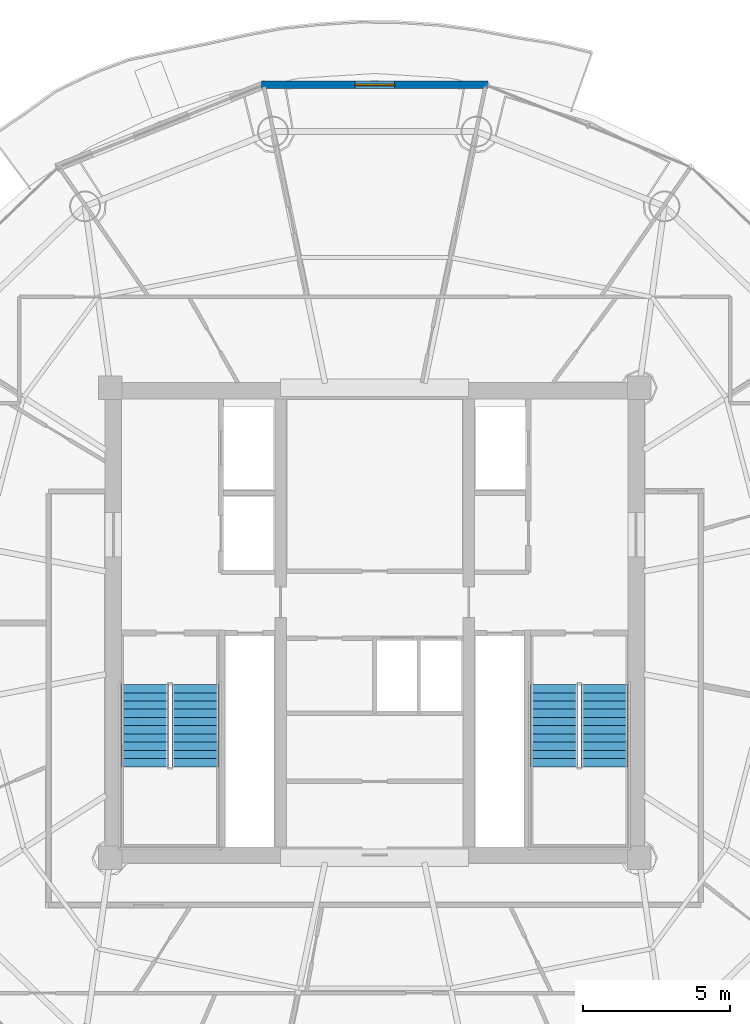
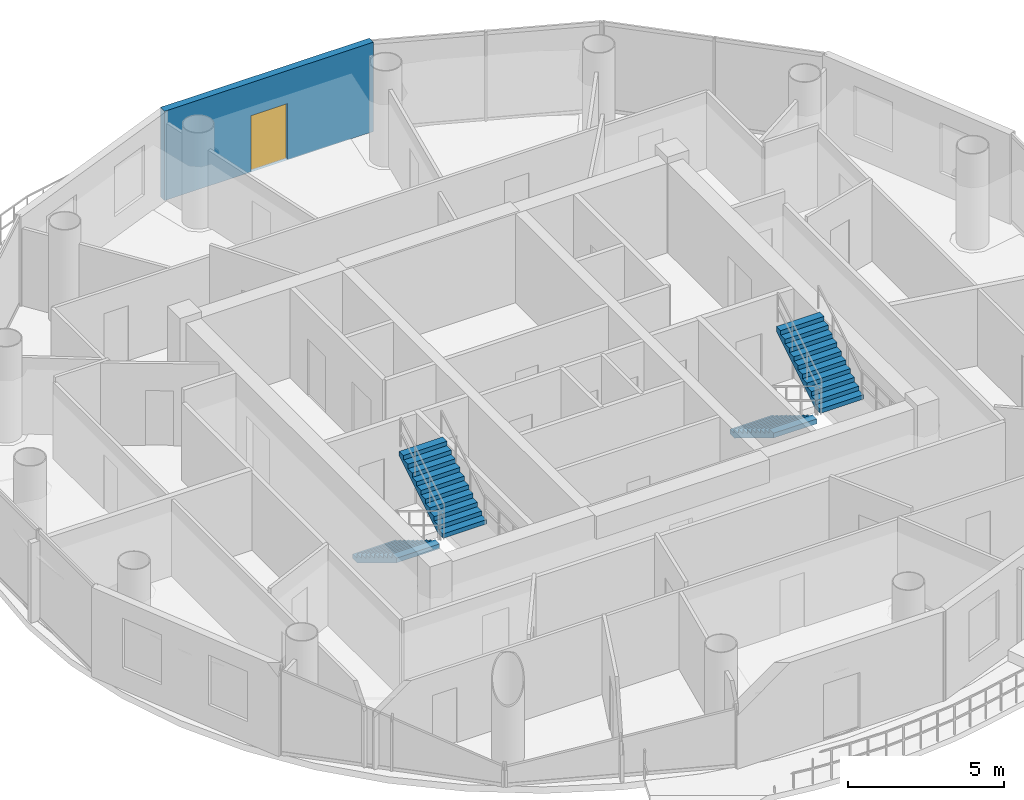
# One storey, part 20 of 24: 4 stair flights, 1 door, 1 wall, 1 opening, 2 elements without a shape of their own.
"""IFC4 building model written with IfcOpenShell, lengths in metres."""

from ifc_helpers import new_model, si_unit, direction, frame, frame_2d, origin, place, context, subcontext, project, spatial, polyline, rectangle, outline, extrude, source, transform, mapped, material, layer, layer_set, type_object, element, fill, aggregate, save


model = new_model("IFC4")

# Units and contexts
model_context = context("Model", 3, precision=1e-05, world=origin(), true_north=direction((-0.2419218956, 0.970295726276)))
body_context = subcontext(model_context, "Body", "Model", "MODEL_VIEW")
ifc_project = project(units=[si_unit("LENGTHUNIT", "METRE"), si_unit("AREAUNIT", "SQUARE_METRE"), si_unit("VOLUMEUNIT", "CUBIC_METRE"), si_unit("PLANEANGLEUNIT", "RADIAN"), si_unit("MASSUNIT", "GRAM", prefix="KILO")], contexts=[model_context])

# Site, building, storey
site_placement = place(None, origin())
site = spatial("IfcSite", under=ifc_project, at=site_placement, CompositionType="ELEMENT")
building_placement = place(site_placement, origin())
building = spatial("IfcBuilding", under=site, at=building_placement, Name="Cobrevalo Terracotta Tower", CompositionType="ELEMENT")
storey_placement = place(building_placement, frame((0.0, 0.0, 293.199951171875)))
storey = spatial("IfcBuildingStorey", under=building, at=storey_placement, Name="L77", CompositionType="ELEMENT", Elevation=293.199951171875)

# Wall, opening, door
ifc_material_1 = material(Name="Autoclaved aerated concrete block", Category="concrete")
ifc_layer = layer(ifc_material_1, 0.260009765625)
ifc_layer_set = layer_set([ifc_layer], Name="Autoclaved aerated concrete block")
wall_type = type_object("IfcWallType", Name="Recessed balcony loggia insulated exterior wall 260 mm", PredefinedType="SOLIDWALL", material=ifc_layer_set)
wall_placement = place(storey_placement, frame((41.85888671875, 45.111328125, 0.0), z_axis=(0.0, 0.0, 1.0), x_axis=(-1.0, 0.0, 0.0)))
wall = element("IfcWall", 1, at=wall_placement, inside=storey, type_object=wall_type, Name="L77 balcony loggia wall S04", PredefinedType="SOLIDWALL", context=body_context, shape_type="SweptSolid", body=[
    extrude(rectangle(XDim=7.7177734375, YDim=0.260009765625, at=frame_2d((3.85888671875, 0.0))), origin(), (0.0, 0.0, 1.0), 3.489990234375),
])
opening_placement = place(wall_placement, frame((3.183837890625, 0.0, 0.0)))
opening = element("IfcOpeningElement", 2, at=opening_placement, cuts=wall, Name="Opening ED-05", PredefinedType="OPENING", context=body_context, shape_type="SweptSolid", body=[
    extrude(rectangle(XDim=1.35009765625, YDim=2.199951171875, at=frame_2d((0.675048828125, 1.10009765625))), frame((0.0, 0.14013671875, 0.0), z_axis=(0.0, -1.0, 0.0), x_axis=(1.0, 0.0, 0.0)), (0.0, 0.0, 1.0), 0.280029296875),
])
ifc_material_2 = material(Name="Anodized aluminium and laminated glass", Category="aluminium")
door_type = type_object("IfcDoorType", Name="Suite balcony acoustic glazed terrace door 1350x2200", OperationType="NOTDEFINED", PredefinedType="DOOR", material=ifc_material_2)
shared_shape = source(origin(), body_context, "Body", "SweptSolid", [
    extrude(rectangle(XDim=1.35009765625, YDim=2.199951171875, at=frame_2d((0.675048828125, 1.10009765625))), frame((0.0, 0.02490234375, 0.0), z_axis=(0.0, -1.0, 0.0), x_axis=(1.0, 0.0, 0.0)), (0.0, 0.0, 1.0), 0.050048828125),
])
door_placement = place(opening_placement, frame((1.35009765625, 0.0, 0.0), z_axis=(0.0, 0.0, 1.0), x_axis=(-1.0, 0.0, 0.0)))
door = element("IfcDoor", 3, at=door_placement, inside=storey, type_object=door_type, Name="L77 glazed balcony terrace door 1", OperationType="SINGLE_SWING_LEFT", OverallHeight=2.199951171875, OverallWidth=1.35009765625, PredefinedType="DOOR", context=body_context, shape_type="MappedRepresentation", body=[
    mapped(shared_shape, transform((0.0, 0.0, 0.0), scale=1.0)),
])
fill(opening, door)

# Stair, stair flights
ifc_material_3 = material(Name="Concrete C50", Category="concrete")
stair_type = type_object("IfcStairType", Name="Core protected escape dogleg stair 1600", PredefinedType="HALF_TURN_STAIR", material=ifc_material_3)
stair_1_placement = place(storey_placement, origin())
stair_1 = element("IfcStair", 4, at=stair_1_placement, inside=storey, type_object=stair_type, Name="L77 Protected exit stair ST-1", PredefinedType="HALF_TURN_STAIR")
stair_flight_type = type_object("IfcStairFlightType", Name="Core protected escape dogleg stair 1600 flight", PredefinedType="STRAIGHT", material=ifc_material_3)
stair_flight_1_placement = place(storey_placement, frame((30.175048828125, 24.699951171875, 0.0), z_axis=(0.0, 0.0, 1.0), x_axis=(0.0, -1.0, 0.0)))
stair_flight_1 = element("IfcStairFlight", 5, at=stair_flight_1_placement, type_object=stair_flight_type, Name="ST-1 flight 1", NumberOfRisers=11, NumberOfTreads=10, PredefinedType="STRAIGHT", RiserHeight=0.170454545, TreadLength=0.28, context=body_context, shape_type="SweptSolid", body=[
    extrude(outline(polyline([(0.0, 0.0), (0.0, 0.17041015625), (0.280029296875, 0.17041015625), (0.280029296875, 0.3408203125), (0.56005859375, 0.3408203125), (0.56005859375, 0.511474609375), (0.840087890625, 0.511474609375), (0.840087890625, 0.681884765625), (1.1201171875, 0.681884765625), (1.1201171875, 0.852294921875), (1.39990234375, 0.852294921875), (1.39990234375, 1.022705078125), (1.679931640625, 1.022705078125), (1.679931640625, 1.193115234375), (1.9599609375, 1.193115234375), (1.9599609375, 1.363525390625), (2.239990234375, 1.363525390625), (2.239990234375, 1.5341796875), (2.52001953125, 1.5341796875), (2.52001953125, 1.70458984375), (2.800048828125, 1.70458984375), (2.800048828125, 1.875), (2.800048828125, 1.517333984375), (0.3076171875, 0.0), (0.0, 0.0)])), frame((0.0, 0.800048828125, 0.0), z_axis=(0.0, -1.0, 0.0), x_axis=(1.0, 0.0, 0.0)), (0.0, 0.0, 1.0), 1.60009765625),
])
stair_flight_2_placement = place(storey_placement, frame((31.89501953125, 21.89990234375, 1.875), z_axis=(0.0, 0.0, 1.0), x_axis=(0.0, 1.0, 0.0)))
stair_flight_2 = element("IfcStairFlight", 6, at=stair_flight_2_placement, type_object=stair_flight_type, Name="ST-1 flight 2", NumberOfRisers=11, NumberOfTreads=10, PredefinedType="STRAIGHT", RiserHeight=0.170454545, TreadLength=0.28, context=body_context, shape_type="SweptSolid", body=[
    extrude(outline(polyline([(0.0, 0.0), (0.0, 0.17041015625), (0.280029296875, 0.17041015625), (0.280029296875, 0.3408203125), (0.56005859375, 0.3408203125), (0.56005859375, 0.511474609375), (0.840087890625, 0.511474609375), (0.840087890625, 0.681884765625), (1.1201171875, 0.681884765625), (1.1201171875, 0.852294921875), (1.39990234375, 0.852294921875), (1.39990234375, 1.022705078125), (1.679931640625, 1.022705078125), (1.679931640625, 1.193115234375), (1.9599609375, 1.193115234375), (1.9599609375, 1.363525390625), (2.239990234375, 1.363525390625), (2.239990234375, 1.5341796875), (2.52001953125, 1.5341796875), (2.52001953125, 1.70458984375), (2.800048828125, 1.70458984375), (2.800048828125, 1.875), (2.800048828125, 1.517333984375), (0.3076171875, 0.0), (0.0, 0.0)])), frame((0.0, 0.800048828125, 0.0), z_axis=(0.0, -1.0, 0.0), x_axis=(1.0, 0.0, 0.0)), (0.0, 0.0, 1.0), 1.60009765625),
])
aggregate(stair_1, [stair_flight_1, stair_flight_2])

stair_2_placement = place(storey_placement, origin())
stair_2 = element("IfcStair", 7, at=stair_2_placement, inside=storey, type_object=stair_type, Name="L77 Protected exit stair ST-2", PredefinedType="HALF_TURN_STAIR")
stair_flight_3_placement = place(storey_placement, frame((44.10498046875, 24.699951171875, 0.0), z_axis=(0.0, 0.0, 1.0), x_axis=(0.0, -1.0, 0.0)))
stair_flight_3 = element("IfcStairFlight", 8, at=stair_flight_3_placement, type_object=stair_flight_type, Name="ST-2 flight 1", NumberOfRisers=11, NumberOfTreads=10, PredefinedType="STRAIGHT", RiserHeight=0.170454545, TreadLength=0.28, context=body_context, shape_type="SweptSolid", body=[
    extrude(outline(polyline([(0.0, 0.0), (0.0, 0.17041015625), (0.280029296875, 0.17041015625), (0.280029296875, 0.3408203125), (0.56005859375, 0.3408203125), (0.56005859375, 0.511474609375), (0.840087890625, 0.511474609375), (0.840087890625, 0.681884765625), (1.1201171875, 0.681884765625), (1.1201171875, 0.852294921875), (1.39990234375, 0.852294921875), (1.39990234375, 1.022705078125), (1.679931640625, 1.022705078125), (1.679931640625, 1.193115234375), (1.9599609375, 1.193115234375), (1.9599609375, 1.363525390625), (2.239990234375, 1.363525390625), (2.239990234375, 1.5341796875), (2.52001953125, 1.5341796875), (2.52001953125, 1.70458984375), (2.800048828125, 1.70458984375), (2.800048828125, 1.875), (2.800048828125, 1.517333984375), (0.3076171875, 0.0), (0.0, 0.0)])), frame((0.0, 0.800048828125, 0.0), z_axis=(0.0, -1.0, 0.0), x_axis=(1.0, 0.0, 0.0)), (0.0, 0.0, 1.0), 1.60009765625),
])
stair_flight_4_placement = place(storey_placement, frame((45.824951171875, 21.89990234375, 1.875), z_axis=(0.0, 0.0, 1.0), x_axis=(0.0, 1.0, 0.0)))
stair_flight_4 = element("IfcStairFlight", 9, at=stair_flight_4_placement, type_object=stair_flight_type, Name="ST-2 flight 2", NumberOfRisers=11, NumberOfTreads=10, PredefinedType="STRAIGHT", RiserHeight=0.170454545, TreadLength=0.28, context=body_context, shape_type="SweptSolid", body=[
    extrude(outline(polyline([(0.0, 0.0), (0.0, 0.17041015625), (0.280029296875, 0.17041015625), (0.280029296875, 0.3408203125), (0.56005859375, 0.3408203125), (0.56005859375, 0.511474609375), (0.840087890625, 0.511474609375), (0.840087890625, 0.681884765625), (1.1201171875, 0.681884765625), (1.1201171875, 0.852294921875), (1.39990234375, 0.852294921875), (1.39990234375, 1.022705078125), (1.679931640625, 1.022705078125), (1.679931640625, 1.193115234375), (1.9599609375, 1.193115234375), (1.9599609375, 1.363525390625), (2.239990234375, 1.363525390625), (2.239990234375, 1.5341796875), (2.52001953125, 1.5341796875), (2.52001953125, 1.70458984375), (2.800048828125, 1.70458984375), (2.800048828125, 1.875), (2.800048828125, 1.517333984375), (0.3076171875, 0.0), (0.0, 0.0)])), frame((0.0, 0.800048828125, 0.0), z_axis=(0.0, -1.0, 0.0), x_axis=(1.0, 0.0, 0.0)), (0.0, 0.0, 1.0), 1.60009765625),
])
aggregate(stair_2, [stair_flight_3, stair_flight_4])

save(model, "model.ifc")
